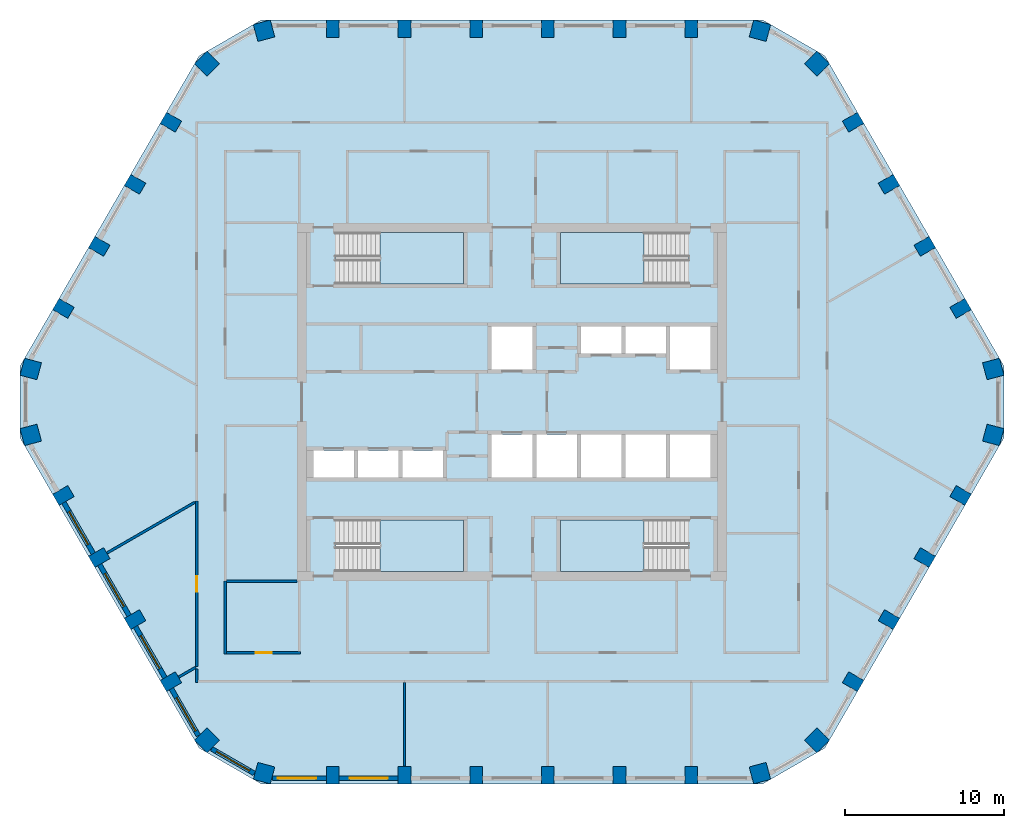
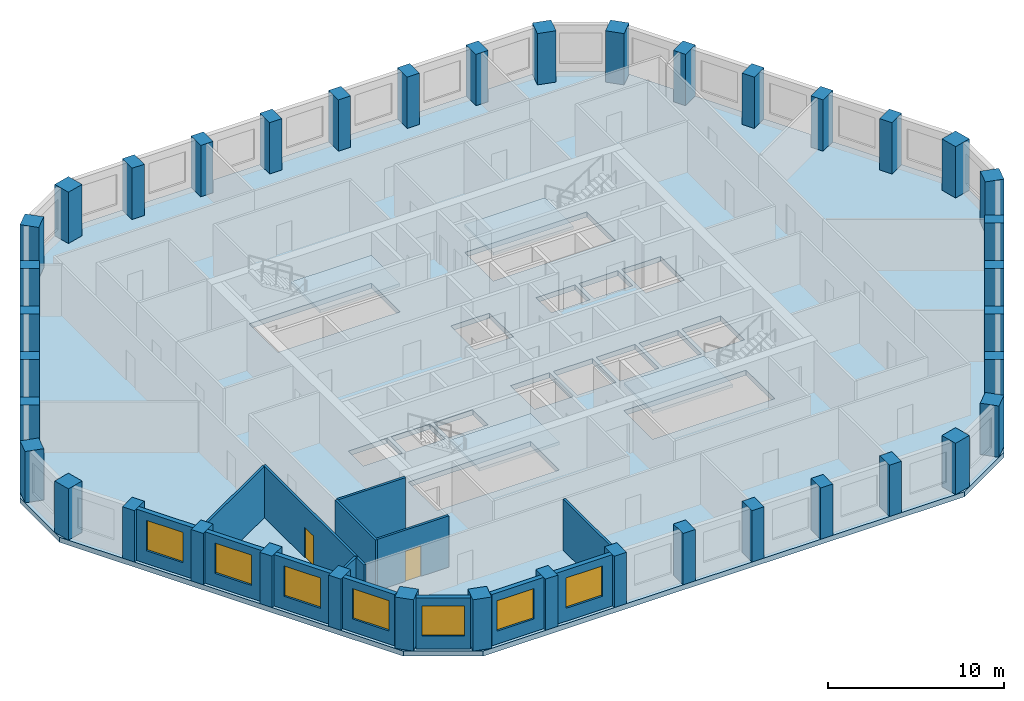
# One storey, part 1 of 9: 40 columns, 15 walls, 7 windows, 5 slabs, 2 doors, 9 openings, 4 elements without a shape of their own.
"""IFC4 building model written with IfcOpenShell, lengths in metres."""

from ifc_helpers import new_model, si_unit, direction, frame, frame_2d, origin, origin_2d, place, context, subcontext, project, spatial, polyline, rectangle, outline, extrude, material, layer, layer_set, material_profile, profile_set, type_object, element, fill, aggregate, save


model = new_model("IFC4")

# Units and contexts
model_context = context("Model", 3, precision=1e-05, world=origin(), true_north=direction((0.0, 1.0)))
body_context = subcontext(model_context, "Body", "Model", "MODEL_VIEW")
ifc_project = project(units=[si_unit("LENGTHUNIT", "METRE"), si_unit("AREAUNIT", "SQUARE_METRE"), si_unit("VOLUMEUNIT", "CUBIC_METRE"), si_unit("PLANEANGLEUNIT", "RADIAN"), si_unit("MASSUNIT", "GRAM", prefix="KILO")], contexts=[model_context])

# Site, building, storey
site_placement = place(None, origin())
site = spatial("IfcSite", under=ifc_project, at=site_placement, CompositionType="ELEMENT")
building_placement = place(site_placement, origin())
building = spatial("IfcBuilding", under=site, at=building_placement, Name="Dhurran Vertical Campus", CompositionType="ELEMENT")
storey_placement = place(building_placement, frame((0.0, 0.0, 195.60009765625)))
storey = spatial("IfcBuildingStorey", under=building, at=storey_placement, Name="L48", CompositionType="ELEMENT", Elevation=195.60009765625)

# Columns
ifc_material_1 = material(Name="Concrete C50/60", Category="concrete")
ifc_material_profile_1 = material_profile(ifc_material_1, rectangle(XDim=1.10009765625, YDim=1.10009765625, at=origin_2d()), Name="RC 1100x1100")
ifc_profile_set_1 = profile_set([ifc_material_profile_1], Name="Concrete C50/60")
column_type_1 = type_object("IfcColumnType", Name="FR COL RC 1100x1100 C50/60", PredefinedType="COLUMN", material=ifc_profile_set_1)
for number, where, z_axis, x_axis, name in (
    (1, (-15.569580078125, -23.31201171875, 0.0), (0.0, 0.0, 1.0), (0.965925826289, -0.258819045103, 0.0), "Perimeter pier PP4.00"),
    (2, (15.569580078125, -23.31201171875, 0.0), (0.0, 0.0, 1.0), (0.965925826289, 0.258819045103, 0.0), "Perimeter pier PP4.07"),
    (3, (19.154052734375, -21.242431640625, 0.0), (0.0, 0.0, 1.0), (0.707106781187, 0.707106781187, 0.0), "Perimeter pier PP4.08"),
    (4, (30.223388671875, -2.069580078125, 0.0), (0.0, 0.0, 1.0), (0.258819045103, 0.965925826289, 0.0), "Perimeter pier PP4.13"),
    (5, (30.223388671875, 2.069580078125, 0.0), (0.0, 0.0, 1.0), (-0.258819045103, 0.965925826289, 0.0), "Perimeter pier PP4.14"),
    (6, (19.154052734375, 21.242431640625, 0.0), (0.0, 0.0, 1.0), (-0.707106781187, 0.707106781187, 0.0), "Perimeter pier PP4.19"),
    (7, (15.569580078125, 23.31201171875, 0.0), (0.0, 0.0, 1.0), (-0.965925826289, 0.258819045103, 0.0), "Perimeter pier PP4.20"),
    (8, (-15.569580078125, 23.31201171875, 0.0), (0.0, 0.0, 1.0), (-0.965925826289, -0.258819045103, 0.0), "Perimeter pier PP4.27"),
    (9, (-19.154052734375, 21.242431640625, 0.0), (0.0, 0.0, 1.0), (-0.707106781187, -0.707106781187, 0.0), "Perimeter pier PP4.28"),
    (10, (-30.223388671875, 2.069580078125, 0.0), (0.0, 0.0, 1.0), (-0.258819045103, -0.965925826289, 0.0), "Perimeter pier PP4.33"),
    (11, (-30.223388671875, -2.069580078125, 0.0), (0.0, 0.0, 1.0), (0.258819045103, -0.965925826289, 0.0), "Perimeter pier PP4.34"),
    (12, (-19.154052734375, -21.242431640625, 0.0), (0.0, 0.0, 1.0), (0.707106781187, -0.707106781187, 0.0), "Perimeter pier PP4.39"),
):
    element("IfcColumn", number, at=place(storey_placement, frame(where, z_axis=z_axis, x_axis=x_axis)), inside=storey, type_object=column_type_1, Name=name, PredefinedType="COLUMN", context=body_context, shape_type="SweptSolid", body=[
        extrude(rectangle(XDim=1.10009765625, YDim=1.10009765625, at=origin_2d()), origin(), (0.0, 0.0, 1.0), 3.5498046875),
    ])
ifc_material_2 = material(Name="Concrete C50/60", Category="concrete")
ifc_material_profile_2 = material_profile(ifc_material_2, rectangle(XDim=0.800048828125, YDim=1.10009765625, at=origin_2d()), Name="RC 800x1100")
ifc_profile_set_2 = profile_set([ifc_material_profile_2], Name="Concrete C50/60")
column_type_2 = type_object("IfcColumnType", Name="FR COL RC 800x1100 C50/60", PredefinedType="COLUMN", material=ifc_profile_set_2)
for number, where, z_axis, x_axis, name in (
    (13, (-11.25, -23.435546875, 0.0), (0.0, 0.0, 1.0), (1.0, 0.0, 0.0), "Perimeter pier PP4.01"),
    (14, (-6.75, -23.435546875, 0.0), (0.0, 0.0, 1.0), (1.0, 0.0, 0.0), "Perimeter pier PP4.02"),
    (15, (-2.25, -23.435546875, 0.0), (0.0, 0.0, 1.0), (1.0, 0.0, 0.0), "Perimeter pier PP4.03"),
    (16, (2.25, -23.435546875, 0.0), (0.0, 0.0, 1.0), (1.0, 0.0, 0.0), "Perimeter pier PP4.04"),
    (17, (6.75, -23.435546875, 0.0), (0.0, 0.0, 1.0), (1.0, 0.0, 0.0), "Perimeter pier PP4.05"),
    (18, (11.25, -23.435546875, 0.0), (0.0, 0.0, 1.0), (1.0, 0.0, 0.0), "Perimeter pier PP4.06"),
    (19, (21.4208984375, -17.5634765625, 0.0), (0.0, 0.0, 1.0), (0.5, 0.866025403784, 0.0), "Perimeter pier PP4.09"),
    (20, (23.6708984375, -13.666259765625, 0.0), (0.0, 0.0, 1.0), (0.5, 0.866025403784, 0.0), "Perimeter pier PP4.10"),
    (21, (25.9208984375, -9.769287109375, 0.0), (0.0, 0.0, 1.0), (0.5, 0.866025403784, 0.0), "Perimeter pier PP4.11"),
    (22, (28.1708984375, -5.8720703125, 0.0), (0.0, 0.0, 1.0), (0.5, 0.866025403784, 0.0), "Perimeter pier PP4.12"),
    (23, (28.1708984375, 5.8720703125, 0.0), (0.0, 0.0, 1.0), (-0.5, 0.866025403784, 0.0), "Perimeter pier PP4.15"),
    (24, (25.9208984375, 9.769287109375, 0.0), (0.0, 0.0, 1.0), (-0.5, 0.866025403784, 0.0), "Perimeter pier PP4.16"),
    (25, (23.6708984375, 13.666259765625, 0.0), (0.0, 0.0, 1.0), (-0.5, 0.866025403784, 0.0), "Perimeter pier PP4.17"),
    (26, (21.4208984375, 17.5634765625, 0.0), (0.0, 0.0, 1.0), (-0.5, 0.866025403784, 0.0), "Perimeter pier PP4.18"),
    (27, (11.25, 23.435546875, 0.0), (0.0, 0.0, 1.0), (-1.0, 0.0, 0.0), "Perimeter pier PP4.21"),
    (28, (6.75, 23.435546875, 0.0), (0.0, 0.0, 1.0), (-1.0, 0.0, 0.0), "Perimeter pier PP4.22"),
    (29, (2.25, 23.435546875, 0.0), (0.0, 0.0, 1.0), (-1.0, 0.0, 0.0), "Perimeter pier PP4.23"),
    (30, (-2.25, 23.435546875, 0.0), (0.0, 0.0, 1.0), (-1.0, 0.0, 0.0), "Perimeter pier PP4.24"),
    (31, (-6.75, 23.435546875, 0.0), (0.0, 0.0, 1.0), (-1.0, 0.0, 0.0), "Perimeter pier PP4.25"),
    (32, (-11.25, 23.435546875, 0.0), (0.0, 0.0, 1.0), (-1.0, 0.0, 0.0), "Perimeter pier PP4.26"),
    (33, (-21.4208984375, 17.5634765625, 0.0), (0.0, 0.0, 1.0), (-0.5, -0.866025403784, 0.0), "Perimeter pier PP4.29"),
    (34, (-23.6708984375, 13.666259765625, 0.0), (0.0, 0.0, 1.0), (-0.5, -0.866025403784, 0.0), "Perimeter pier PP4.30"),
    (35, (-25.9208984375, 9.769287109375, 0.0), (0.0, 0.0, 1.0), (-0.5, -0.866025403784, 0.0), "Perimeter pier PP4.31"),
    (36, (-28.1708984375, 5.8720703125, 0.0), (0.0, 0.0, 1.0), (-0.5, -0.866025403784, 0.0), "Perimeter pier PP4.32"),
    (37, (-28.1708984375, -5.8720703125, 0.0), (0.0, 0.0, 1.0), (0.5, -0.866025403784, 0.0), "Perimeter pier PP4.35"),
    (38, (-25.9208984375, -9.769287109375, 0.0), (0.0, 0.0, 1.0), (0.5, -0.866025403784, 0.0), "Perimeter pier PP4.36"),
    (39, (-23.6708984375, -13.666259765625, 0.0), (0.0, 0.0, 1.0), (0.5, -0.866025403784, 0.0), "Perimeter pier PP4.37"),
    (40, (-21.4208984375, -17.5634765625, 0.0), (0.0, 0.0, 1.0), (0.5, -0.866025403784, 0.0), "Perimeter pier PP4.38"),
):
    element("IfcColumn", number, at=place(storey_placement, frame(where, z_axis=z_axis, x_axis=x_axis)), inside=storey, type_object=column_type_2, Name=name, PredefinedType="COLUMN", context=body_context, shape_type="SweptSolid", body=[
        extrude(rectangle(XDim=0.800048828125, YDim=1.10009765625, at=origin_2d()), origin(), (0.0, 0.0, 1.0), 3.5498046875),
    ])

# Slab
ifc_material_3 = material(Name="Concrete C40/50", Category="concrete")
ifc_layer_1 = layer(ifc_material_3, 0.35009765625)
ifc_layer_set_1 = layer_set([ifc_layer_1], Name="Concrete C40/50")
slab_type_1 = type_object("IfcSlabType", Name="FR POST-TENSIONED FLAT SLAB 350", PredefinedType="FLOOR", material=ifc_layer_set_1)
slab_1_placement = place(storey_placement, frame((0.0, 0.0, -0.35009765625)))
element("IfcSlab", 41, at=slab_1_placement, inside=storey, type_object=slab_type_1, Name="Floor slab L48", PredefinedType="FLOOR", context=body_context, shape_type="SweptSolid", body=[
    extrude(outline(polyline([(-15.75, -23.985595703125), (15.75, -23.985595703125), (19.647216796875, -21.735595703125), (30.897216796875, -2.25), (30.897216796875, 2.25), (19.647216796875, 21.735595703125), (15.75, 23.985595703125), (-15.75, 23.985595703125), (-19.647216796875, 21.735595703125), (-30.897216796875, 2.25), (-30.897216796875, -2.25), (-19.647216796875, -21.735595703125), (-15.75, -23.985595703125)]), holes=[polyline([(-1.27490234375, 2.050048828125), (1.27490234375, 2.050048828125), (1.27490234375, 4.75), (-1.27490234375, 4.75), (-1.27490234375, 2.050048828125)]), polyline([(9.925048828125, 2.050048828125), (12.47509765625, 2.050048828125), (12.47509765625, 4.75), (9.925048828125, 4.75), (9.925048828125, 2.050048828125)]), polyline([(-1.27490234375, -4.75), (1.27490234375, -4.75), (1.27490234375, -2.050048828125), (-1.27490234375, -2.050048828125), (-1.27490234375, -4.75)]), polyline([(1.52490234375, -4.75), (4.074951171875, -4.75), (4.074951171875, -2.050048828125), (1.52490234375, -2.050048828125), (1.52490234375, -4.75)]), polyline([(4.324951171875, -4.75), (6.875, -4.75), (6.875, -2.050048828125), (4.324951171875, -2.050048828125), (4.324951171875, -4.75)]), polyline([(7.125, -4.75), (9.675048828125, -4.75), (9.675048828125, -2.050048828125), (7.125, -2.050048828125), (7.125, -4.75)]), polyline([(9.925048828125, -4.75), (12.47509765625, -4.75), (12.47509765625, -2.050048828125), (9.925048828125, -2.050048828125), (9.925048828125, -4.75)]), polyline([(4.324951171875, 3.050048828125), (6.875, 3.050048828125), (6.875, 4.75), (4.324951171875, 4.75), (4.324951171875, 3.050048828125)]), polyline([(7.125, 3.050048828125), (9.675048828125, 3.050048828125), (9.675048828125, 4.75), (7.125, 4.75), (7.125, 3.050048828125)]), polyline([(-12.47509765625, -4.75), (-9.925048828125, -4.75), (-9.925048828125, -3.050048828125), (-12.47509765625, -3.050048828125), (-12.47509765625, -4.75)]), polyline([(-9.675048828125, -4.75), (-7.125, -4.75), (-7.125, -3.050048828125), (-9.675048828125, -3.050048828125), (-9.675048828125, -4.75)]), polyline([(-6.875, -4.75), (-4.324951171875, -4.75), (-4.324951171875, -3.050048828125), (-6.875, -3.050048828125), (-6.875, -4.75)]), polyline([(-11.050048828125, 7.39990234375), (-3.050048828125, 7.39990234375), (-3.050048828125, 10.64990234375), (-11.050048828125, 10.64990234375), (-11.050048828125, 7.39990234375)]), polyline([(3.050048828125, 7.39990234375), (11.050048828125, 7.39990234375), (11.050048828125, 10.64990234375), (3.050048828125, 10.64990234375), (3.050048828125, 7.39990234375)]), polyline([(-11.050048828125, -10.64990234375), (-3.050048828125, -10.64990234375), (-3.050048828125, -7.39990234375), (-11.050048828125, -7.39990234375), (-11.050048828125, -10.64990234375)]), polyline([(3.050048828125, -10.64990234375), (11.050048828125, -10.64990234375), (11.050048828125, -7.39990234375), (3.050048828125, -7.39990234375), (3.050048828125, -10.64990234375)])]), origin(), (0.0, 0.0, 1.0), 0.35009765625),
])

# Stair, slab
ifc_material_4 = material(Name="Concrete C40/50", Category="concrete")
stair_type = type_object("IfcStairType", Name="co-ST-CORE", PredefinedType="HALF_TURN_STAIR", material=ifc_material_4)
stair_1_placement = place(storey_placement, origin())
stair_1 = element("IfcStair", 42, at=stair_1_placement, inside=storey, type_object=stair_type, Name="L48 Protected exit stair ST1", PredefinedType="HALF_TURN_STAIR")
ifc_material_5 = material(Name="Concrete C40/50", Category="concrete")
ifc_layer_2 = layer(ifc_material_5, 0.199951171875)
ifc_layer_set_2 = layer_set([ifc_layer_2], Name="Concrete C40/50")
slab_type_2 = type_object("IfcSlabType", Name="co-SL-LANDING", PredefinedType="LANDING", material=ifc_layer_set_2)
slab_2_placement = place(storey_placement, frame((0.0, 0.0, 1.75)))
slab_2 = element("IfcSlab", 43, at=slab_2_placement, type_object=slab_type_2, Name="ST1 landing 1", PredefinedType="LANDING", context=body_context, shape_type="SweptSolid", body=[
    extrude(outline(polyline([(-8.300048828125, 7.39990234375), (-3.050048828125, 7.39990234375), (-3.050048828125, 10.64990234375), (-8.300048828125, 10.64990234375), (-8.300048828125, 7.39990234375)])), origin(), (0.0, 0.0, 1.0), 0.199951171875),
])
aggregate(stair_1, [slab_2])

stair_2_placement = place(storey_placement, origin())
stair_2 = element("IfcStair", 44, at=stair_2_placement, inside=storey, type_object=stair_type, Name="L48 Protected exit stair ST2", PredefinedType="HALF_TURN_STAIR")
slab_3_placement = place(storey_placement, frame((0.0, 0.0, 1.75)))
slab_3 = element("IfcSlab", 45, at=slab_3_placement, type_object=slab_type_2, Name="ST2 landing 1", PredefinedType="LANDING", context=body_context, shape_type="SweptSolid", body=[
    extrude(outline(polyline([(8.300048828125, 10.64990234375), (3.050048828125, 10.64990234375), (3.050048828125, 7.39990234375), (8.300048828125, 7.39990234375), (8.300048828125, 10.64990234375)])), origin(), (0.0, 0.0, 1.0), 0.199951171875),
])
aggregate(stair_2, [slab_3])

stair_3_placement = place(storey_placement, origin())
stair_3 = element("IfcStair", 46, at=stair_3_placement, inside=storey, type_object=stair_type, Name="L48 Protected exit stair ST3", PredefinedType="HALF_TURN_STAIR")
slab_4_placement = place(storey_placement, frame((0.0, 0.0, 1.75)))
slab_4 = element("IfcSlab", 47, at=slab_4_placement, type_object=slab_type_2, Name="ST3 landing 1", PredefinedType="LANDING", context=body_context, shape_type="SweptSolid", body=[
    extrude(outline(polyline([(-8.300048828125, -10.64990234375), (-3.050048828125, -10.64990234375), (-3.050048828125, -7.39990234375), (-8.300048828125, -7.39990234375), (-8.300048828125, -10.64990234375)])), origin(), (0.0, 0.0, 1.0), 0.199951171875),
])
aggregate(stair_3, [slab_4])

stair_4_placement = place(storey_placement, origin())
stair_4 = element("IfcStair", 48, at=stair_4_placement, inside=storey, type_object=stair_type, Name="L48 Protected exit stair ST4", PredefinedType="HALF_TURN_STAIR")
slab_5_placement = place(storey_placement, frame((0.0, 0.0, 1.75)))
slab_5 = element("IfcSlab", 49, at=slab_5_placement, type_object=slab_type_2, Name="ST4 landing 1", PredefinedType="LANDING", context=body_context, shape_type="SweptSolid", body=[
    extrude(outline(polyline([(8.300048828125, -7.39990234375), (3.050048828125, -7.39990234375), (3.050048828125, -10.64990234375), (8.300048828125, -10.64990234375), (8.300048828125, -7.39990234375)])), origin(), (0.0, 0.0, 1.0), 0.199951171875),
])
aggregate(stair_4, [slab_5])

# Wall, opening, window
ifc_material_6 = material(Name="Precast concrete C50/60", Category="concrete")
ifc_layer_3 = layer(ifc_material_6, 0.300048828125)
ifc_layer_set_3 = layer_set([ifc_layer_3], Name="Precast concrete C50/60")
wall_type_1 = type_object("IfcWallType", Name="Precast spandrel wall 300", PredefinedType="SOLIDWALL", material=ifc_layer_set_3)
wall_1_placement = place(storey_placement, frame((-15.04638671875, -23.635498046875, 0.0), z_axis=(0.0, 0.0, 1.0), x_axis=(1.0, 0.0, 0.0)))
wall_1 = element("IfcWall", 50, at=wall_1_placement, inside=storey, type_object=wall_type_1, Name="EW1 L48.00", PredefinedType="SOLIDWALL", context=body_context, shape_type="SweptSolid", body=[
    extrude(rectangle(XDim=3.39599609375, YDim=0.300048828125, at=frame_2d((1.697998046875, 0.0))), origin(), (0.0, 0.0, 1.0), 3.5498046875),
])
opening_1_placement = place(wall_1_placement, frame((0.34619140625, 0.0, 0.89990234375)))
opening_1 = element("IfcOpeningElement", 51, at=opening_1_placement, cuts=wall_1, Name="Opening WT1", PredefinedType="OPENING", context=body_context, shape_type="SweptSolid", body=[
    extrude(rectangle(XDim=2.39990234375, YDim=2.10009765625, at=frame_2d((1.199951171875, 1.050048828125))), frame((0.0, 0.159912109375, 0.0), z_axis=(0.0, -1.0, 0.0), x_axis=(1.0, 0.0, 0.0)), (0.0, 0.0, 1.0), 0.320068359375),
])
ifc_material_7 = material(Name="Aluminium frame with solar-control glass", Category="aluminium")
window_type = type_object("IfcWindowType", Name="Punched window 2400 x 2100", PartitioningType="SINGLE_PANEL", PredefinedType="WINDOW", material=ifc_material_7)
window_1_placement = place(opening_1_placement, origin())
window_1 = element("IfcWindow", 52, at=window_1_placement, inside=storey, type_object=window_type, Name="WT1 L48.00", OverallHeight=2.10009765625, OverallWidth=2.39990234375, PartitioningType="SINGLE_PANEL", PredefinedType="WINDOW", context=body_context, shape_type="SweptSolid", body=[
    extrude(rectangle(XDim=2.39990234375, YDim=2.10009765625, at=frame_2d((1.199951171875, 1.050048828125))), frame((0.0, 0.030029296875, 0.0), z_axis=(0.0, -1.0, 0.0), x_axis=(1.0, 0.0, 0.0)), (0.0, 0.0, 1.0), 0.06005859375),
])
fill(opening_1, window_1)

wall_2_placement = place(storey_placement, frame((-10.849609375, -23.635498046875, 0.0), z_axis=(0.0, 0.0, 1.0), x_axis=(1.0, 0.0, 0.0)))
wall_2 = element("IfcWall", 53, at=wall_2_placement, inside=storey, type_object=wall_type_1, Name="EW1 L48.01", PredefinedType="SOLIDWALL", context=body_context, shape_type="SweptSolid", body=[
    extrude(rectangle(XDim=3.69921875, YDim=0.300048828125, at=frame_2d((1.849609375, 0.0))), origin(), (0.0, 0.0, 1.0), 3.5498046875),
])
opening_2_placement = place(wall_2_placement, frame((0.6494140625, 0.0, 0.89990234375)))
opening_2 = element("IfcOpeningElement", 54, at=opening_2_placement, cuts=wall_2, Name="Opening WT1", PredefinedType="OPENING", context=body_context, shape_type="SweptSolid", body=[
    extrude(rectangle(XDim=2.39990234375, YDim=2.10009765625, at=frame_2d((1.199951171875, 1.050048828125))), frame((0.0, 0.159912109375, 0.0), z_axis=(0.0, -1.0, 0.0), x_axis=(1.0, 0.0, 0.0)), (0.0, 0.0, 1.0), 0.320068359375),
])
window_2_placement = place(opening_2_placement, origin())
window_2 = element("IfcWindow", 55, at=window_2_placement, inside=storey, type_object=window_type, Name="WT1 L48.01", OverallHeight=2.10009765625, OverallWidth=2.39990234375, PartitioningType="SINGLE_PANEL", PredefinedType="WINDOW", context=body_context, shape_type="SweptSolid", body=[
    extrude(rectangle(XDim=2.39990234375, YDim=2.10009765625, at=frame_2d((1.199951171875, 1.050048828125))), frame((0.0, 0.030029296875, 0.0), z_axis=(0.0, -1.0, 0.0), x_axis=(1.0, 0.0, 0.0)), (0.0, 0.0, 1.0), 0.06005859375),
])
fill(opening_2, window_2)

wall_3_placement = place(storey_placement, frame((-28.143798828125, -6.319091796875, 0.0), z_axis=(0.0, 0.0, 1.0), x_axis=(0.500029062817, -0.866008623709, 0.0)))
wall_3 = element("IfcWall", 56, at=wall_3_placement, inside=storey, type_object=wall_type_1, Name="EW1 L48.35", PredefinedType="SOLIDWALL", context=body_context, shape_type="SweptSolid", body=[
    extrude(rectangle(XDim=3.698974609375, YDim=0.300048828125, at=frame_2d((1.849609375, 0.0))), origin(), (0.0, 0.0, 1.0), 3.5498046875),
])
opening_3_placement = place(wall_3_placement, frame((0.6494140625, 0.0, 0.89990234375)))
opening_3 = element("IfcOpeningElement", 57, at=opening_3_placement, cuts=wall_3, Name="Opening WT1", PredefinedType="OPENING", context=body_context, shape_type="SweptSolid", body=[
    extrude(rectangle(XDim=2.39990234375, YDim=2.10009765625, at=frame_2d((1.199951171875, 1.050048828125))), frame((0.0, 0.159912109375, 0.0), z_axis=(0.0, -1.0, 0.0), x_axis=(1.0, 0.0, 0.0)), (0.0, 0.0, 1.0), 0.320068359375),
])
window_3_placement = place(opening_3_placement, origin())
window_3 = element("IfcWindow", 58, at=window_3_placement, inside=storey, type_object=window_type, Name="WT1 L48.35", OverallHeight=2.10009765625, OverallWidth=2.39990234375, PartitioningType="SINGLE_PANEL", PredefinedType="WINDOW", context=body_context, shape_type="SweptSolid", body=[
    extrude(rectangle(XDim=2.39990234375, YDim=2.10009765625, at=frame_2d((1.199951171875, 1.050048828125))), frame((0.0, 0.030029296875, 0.0), z_axis=(0.0, -1.0, 0.0), x_axis=(1.0, 0.0, 0.0)), (0.0, 0.0, 1.0), 0.06005859375),
])
fill(opening_3, window_3)

wall_4_placement = place(storey_placement, frame((-25.893798828125, -10.216064453125, 0.0), z_axis=(0.0, 0.0, 1.0), x_axis=(0.500029062817, -0.866008623709, 0.0)))
wall_4 = element("IfcWall", 59, at=wall_4_placement, inside=storey, type_object=wall_type_1, Name="EW1 L48.36", PredefinedType="SOLIDWALL", context=body_context, shape_type="SweptSolid", body=[
    extrude(rectangle(XDim=3.698974609375, YDim=0.300048828125, at=frame_2d((1.849609375, 0.0))), origin(), (0.0, 0.0, 1.0), 3.5498046875),
])
opening_4_placement = place(wall_4_placement, frame((0.6494140625, 0.0, 0.89990234375)))
opening_4 = element("IfcOpeningElement", 60, at=opening_4_placement, cuts=wall_4, Name="Opening WT1", PredefinedType="OPENING", context=body_context, shape_type="SweptSolid", body=[
    extrude(rectangle(XDim=2.39990234375, YDim=2.10009765625, at=frame_2d((1.199951171875, 1.050048828125))), frame((0.0, 0.159912109375, 0.0), z_axis=(0.0, -1.0, 0.0), x_axis=(1.0, 0.0, 0.0)), (0.0, 0.0, 1.0), 0.320068359375),
])
window_4_placement = place(opening_4_placement, origin())
window_4 = element("IfcWindow", 61, at=window_4_placement, inside=storey, type_object=window_type, Name="WT1 L48.36", OverallHeight=2.10009765625, OverallWidth=2.39990234375, PartitioningType="SINGLE_PANEL", PredefinedType="WINDOW", context=body_context, shape_type="SweptSolid", body=[
    extrude(rectangle(XDim=2.39990234375, YDim=2.10009765625, at=frame_2d((1.199951171875, 1.050048828125))), frame((0.0, 0.030029296875, 0.0), z_axis=(0.0, -1.0, 0.0), x_axis=(1.0, 0.0, 0.0)), (0.0, 0.0, 1.0), 0.06005859375),
])
fill(opening_4, window_4)

wall_5_placement = place(storey_placement, frame((-23.643798828125, -14.11328125, 0.0), z_axis=(0.0, 0.0, 1.0), x_axis=(0.500029062817, -0.866008623709, 0.0)))
wall_5 = element("IfcWall", 62, at=wall_5_placement, inside=storey, type_object=wall_type_1, Name="EW1 L48.37", PredefinedType="SOLIDWALL", context=body_context, shape_type="SweptSolid", body=[
    extrude(rectangle(XDim=3.698974609375, YDim=0.300048828125, at=frame_2d((1.849609375, 0.0))), origin(), (0.0, 0.0, 1.0), 3.5498046875),
])
opening_5_placement = place(wall_5_placement, frame((0.6494140625, 0.0, 0.89990234375)))
opening_5 = element("IfcOpeningElement", 63, at=opening_5_placement, cuts=wall_5, Name="Opening WT1", PredefinedType="OPENING", context=body_context, shape_type="SweptSolid", body=[
    extrude(rectangle(XDim=2.39990234375, YDim=2.10009765625, at=frame_2d((1.199951171875, 1.050048828125))), frame((0.0, 0.159912109375, 0.0), z_axis=(0.0, -1.0, 0.0), x_axis=(1.0, 0.0, 0.0)), (0.0, 0.0, 1.0), 0.320068359375),
])
window_5_placement = place(opening_5_placement, origin())
window_5 = element("IfcWindow", 64, at=window_5_placement, inside=storey, type_object=window_type, Name="WT1 L48.37", OverallHeight=2.10009765625, OverallWidth=2.39990234375, PartitioningType="SINGLE_PANEL", PredefinedType="WINDOW", context=body_context, shape_type="SweptSolid", body=[
    extrude(rectangle(XDim=2.39990234375, YDim=2.10009765625, at=frame_2d((1.199951171875, 1.050048828125))), frame((0.0, 0.030029296875, 0.0), z_axis=(0.0, -1.0, 0.0), x_axis=(1.0, 0.0, 0.0)), (0.0, 0.0, 1.0), 0.06005859375),
])
fill(opening_5, window_5)

wall_6_placement = place(storey_placement, frame((-21.393798828125, -18.01025390625, 0.0), z_axis=(0.0, 0.0, 1.0), x_axis=(0.500012868213, -0.866017974191, 0.0)))
wall_6 = element("IfcWall", 65, at=wall_6_placement, inside=storey, type_object=wall_type_1, Name="EW1 L48.38", PredefinedType="SOLIDWALL", context=body_context, shape_type="SweptSolid", body=[
    extrude(rectangle(XDim=3.39599609375, YDim=0.300048828125, at=frame_2d((1.697998046875, 0.0))), origin(), (0.0, 0.0, 1.0), 3.5498046875),
])
opening_6_placement = place(wall_6_placement, frame((0.6494140625, 0.0, 0.89990234375)))
opening_6 = element("IfcOpeningElement", 66, at=opening_6_placement, cuts=wall_6, Name="Opening WT1", PredefinedType="OPENING", context=body_context, shape_type="SweptSolid", body=[
    extrude(rectangle(XDim=2.39990234375, YDim=2.10009765625, at=frame_2d((1.199951171875, 1.050048828125))), frame((0.0, 0.159912109375, 0.0), z_axis=(0.0, -1.0, 0.0), x_axis=(1.0, 0.0, 0.0)), (0.0, 0.0, 1.0), 0.320068359375),
])
window_6_placement = place(opening_6_placement, origin())
window_6 = element("IfcWindow", 67, at=window_6_placement, inside=storey, type_object=window_type, Name="WT1 L48.38", OverallHeight=2.10009765625, OverallWidth=2.39990234375, PartitioningType="SINGLE_PANEL", PredefinedType="WINDOW", context=body_context, shape_type="SweptSolid", body=[
    extrude(rectangle(XDim=2.39990234375, YDim=2.10009765625, at=frame_2d((1.199951171875, 1.050048828125))), frame((0.0, 0.030029296875, 0.0), z_axis=(0.0, -1.0, 0.0), x_axis=(1.0, 0.0, 0.0)), (0.0, 0.0, 1.0), 0.06005859375),
])
fill(opening_6, window_6)

wall_7_placement = place(storey_placement, frame((-18.86279296875, -21.7841796875, 0.0), z_axis=(0.0, 0.0, 1.0), x_axis=(0.865994975416, -0.500052699777, 0.0)))
wall_7 = element("IfcWall", 68, at=wall_7_placement, inside=storey, type_object=wall_type_1, Name="EW1 L48.39", PredefinedType="SOLIDWALL", context=body_context, shape_type="SweptSolid", body=[
    extrude(rectangle(XDim=3.093017578125, YDim=0.300048828125, at=frame_2d((1.54638671875, 0.0))), origin(), (0.0, 0.0, 1.0), 3.5498046875),
])
opening_7_placement = place(wall_7_placement, frame((0.34619140625, 0.0, 0.89990234375)))
opening_7 = element("IfcOpeningElement", 69, at=opening_7_placement, cuts=wall_7, Name="Opening WT1", PredefinedType="OPENING", context=body_context, shape_type="SweptSolid", body=[
    extrude(rectangle(XDim=2.39990234375, YDim=2.10009765625, at=frame_2d((1.199951171875, 1.050048828125))), frame((0.0, 0.159912109375, 0.0), z_axis=(0.0, -1.0, 0.0), x_axis=(1.0, 0.0, 0.0)), (0.0, 0.0, 1.0), 0.320068359375),
])
window_7_placement = place(opening_7_placement, origin())
window_7 = element("IfcWindow", 70, at=window_7_placement, inside=storey, type_object=window_type, Name="WT1 L48.39", OverallHeight=2.10009765625, OverallWidth=2.39990234375, PartitioningType="SINGLE_PANEL", PredefinedType="WINDOW", context=body_context, shape_type="SweptSolid", body=[
    extrude(rectangle(XDim=2.39990234375, YDim=2.10009765625, at=frame_2d((1.199951171875, 1.050048828125))), frame((0.0, 0.030029296875, 0.0), z_axis=(0.0, -1.0, 0.0), x_axis=(1.0, 0.0, 0.0)), (0.0, 0.0, 1.0), 0.06005859375),
])
fill(opening_7, window_7)

# Wall
ifc_material_8 = material(Name="Gypsum board corridor wall on steel studs", Category="steel")
ifc_layer_4 = layer(ifc_material_8, 0.14990234375)
ifc_layer_set_4 = layer_set([ifc_layer_4], Name="Gypsum board corridor wall on steel studs")
wall_type_2 = type_object("IfcWallType", Name="fl-CW-150 corridor wall", PredefinedType="PARTITIONING", material=ifc_layer_set_4)
wall_8_placement = place(storey_placement, frame((-19.800048828125, -16.758056640625, 0.0), z_axis=(0.0, 0.0, 1.0), x_axis=(0.0, -1.0, 0.0)))
element("IfcWall", 71, at=wall_8_placement, inside=storey, type_object=wall_type_2, Name="Partition 48-05", PredefinedType="PARTITIONING", context=body_context, shape_type="SweptSolid", body=[
    extrude(rectangle(XDim=0.866943359375, YDim=0.14990234375, at=frame_2d((0.43359375, 0.0))), origin(), (0.0, 0.0, 1.0), 3.5498046875),
])

# Wall, opening, door
wall_9_placement = place(storey_placement, frame((-19.800048828125, -6.235107421875, 0.0), z_axis=(0.0, 0.0, 1.0), x_axis=(0.0, -1.0, 0.0)))
wall_9 = element("IfcWall", 72, at=wall_9_placement, inside=storey, type_object=wall_type_2, Name="Partition 48-07", PredefinedType="PARTITIONING", context=body_context, shape_type="SweptSolid", body=[
    extrude(rectangle(XDim=10.392822265625, YDim=0.14990234375, at=frame_2d((5.1962890625, 0.0))), origin(), (0.0, 0.0, 1.0), 3.5498046875),
])
opening_8_placement = place(wall_9_placement, frame((4.696533203125, 0.0, 0.0)))
opening_8 = element("IfcOpeningElement", 73, at=opening_8_placement, cuts=wall_9, Name="Opening T14.03", PredefinedType="OPENING", context=body_context, shape_type="SweptSolid", body=[
    extrude(rectangle(XDim=1.0, YDim=2.10009765625, at=frame_2d((0.5, 1.050048828125))), frame((0.0, 0.0849609375, 0.0), z_axis=(0.0, -1.0, 0.0), x_axis=(1.0, 0.0, 0.0)), (0.0, 0.0, 1.0), 0.169921875),
])
ifc_material_9 = material(Name="Solid-core timber door set, fire-rated", Category="wood")
door_type = type_object("IfcDoorType", Name="fl-D-1000x2100", OperationType="SINGLE_SWING_LEFT", PredefinedType="DOOR", material=ifc_material_9)
door_1_placement = place(opening_8_placement, origin())
door_1 = element("IfcDoor", 74, at=door_1_placement, inside=storey, type_object=door_type, Name="Door 48.03", OperationType="SINGLE_SWING_LEFT", OverallHeight=2.10009765625, OverallWidth=1.0, PredefinedType="DOOR", context=body_context, shape_type="SweptSolid", body=[
    extrude(rectangle(XDim=1.0, YDim=2.10009765625, at=frame_2d((0.5, 1.050048828125))), frame((0.0, 0.02490234375, 0.0), z_axis=(0.0, -1.0, 0.0), x_axis=(1.0, 0.0, 0.0)), (0.0, 0.0, 1.0), 0.050048828125),
])
fill(opening_8, door_1)

# Wall
wall_10_placement = place(storey_placement, frame((-18.0, -15.824951171875, 0.0), z_axis=(0.0, 0.0, 1.0), x_axis=(0.0, 1.0, 0.0)))
element("IfcWall", 75, at=wall_10_placement, inside=storey, type_object=wall_type_2, Name="Partition 48-12", PredefinedType="PARTITIONING", context=body_context, shape_type="SweptSolid", body=[
    extrude(rectangle(XDim=4.574951171875, YDim=0.14990234375, at=frame_2d((2.28759765625, 0.0))), origin(), (0.0, 0.0, 1.0), 3.5498046875),
])

# Wall, opening, door
wall_11_placement = place(storey_placement, frame((-13.27490234375, -15.75, 0.0), z_axis=(0.0, 0.0, 1.0), x_axis=(-1.0, 0.0, 0.0)))
wall_11 = element("IfcWall", 76, at=wall_11_placement, inside=storey, type_object=wall_type_2, Name="Partition 48-13", PredefinedType="PARTITIONING", context=body_context, shape_type="SweptSolid", body=[
    extrude(rectangle(XDim=4.650146484375, YDim=0.14990234375, at=frame_2d((2.3251953125, 0.0))), origin(), (0.0, 0.0, 1.0), 3.5498046875),
])
opening_9_placement = place(wall_11_placement, frame((1.824951171875, 0.0, 0.0)))
opening_9 = element("IfcOpeningElement", 77, at=opening_9_placement, cuts=wall_11, Name="Opening T14.07", PredefinedType="OPENING", context=body_context, shape_type="SweptSolid", body=[
    extrude(rectangle(XDim=1.0, YDim=2.10009765625, at=frame_2d((0.5, 1.050048828125))), frame((0.0, 0.0849609375, 0.0), z_axis=(0.0, -1.0, 0.0), x_axis=(1.0, 0.0, 0.0)), (0.0, 0.0, 1.0), 0.169921875),
])
door_2_placement = place(opening_9_placement, origin())
door_2 = element("IfcDoor", 78, at=door_2_placement, inside=storey, type_object=door_type, Name="Door 48.07", OperationType="SINGLE_SWING_RIGHT", OverallHeight=2.10009765625, OverallWidth=1.0, PredefinedType="DOOR", context=body_context, shape_type="SweptSolid", body=[
    extrude(rectangle(XDim=1.0, YDim=2.10009765625, at=frame_2d((0.5, 1.050048828125))), frame((0.0, 0.02490234375, 0.0), z_axis=(0.0, -1.0, 0.0), x_axis=(1.0, 0.0, 0.0)), (0.0, 0.0, 1.0), 0.050048828125),
])
fill(opening_9, door_2)

# Walls
ifc_material_10 = material(Name="Gypsum board partition on steel studs", Category="steel")
ifc_layer_5 = layer(ifc_material_10, 0.14990234375)
ifc_layer_set_5 = layer_set([ifc_layer_5], Name="Gypsum board partition on steel studs")
wall_type_3 = type_object("IfcWallType", Name="fl-PW-150 fixed partition", PredefinedType="PARTITIONING", material=ifc_layer_set_5)
wall_12_placement = place(storey_placement, frame((-19.91259765625, -6.300048828125, 0.0), z_axis=(0.0, 0.0, 1.0), x_axis=(-0.866011921086, -0.500023351992, 0.0)))
element("IfcWall", 79, at=wall_12_placement, inside=storey, type_object=wall_type_3, Name="Partition 48-02", PredefinedType="PARTITIONING", context=body_context, shape_type="SweptSolid", body=[
    extrude(rectangle(XDim=6.367919921875, YDim=0.14990234375, at=frame_2d((3.18408203125, 0.0))), origin(), (0.0, 0.0, 1.0), 3.5498046875),
])
wall_13_placement = place(storey_placement, frame((-19.864990234375, -16.66552734375, 0.0), z_axis=(0.0, 0.0, 1.0), x_axis=(-0.866202157257, -0.499693728962, 0.0)))
element("IfcWall", 80, at=wall_13_placement, inside=storey, type_object=wall_type_3, Name="Partition 48-03", PredefinedType="PARTITIONING", context=body_context, shape_type="SweptSolid", body=[
    extrude(rectangle(XDim=1.226318359375, YDim=0.14990234375, at=frame_2d((0.61328125, 0.0))), origin(), (0.0, 0.0, 1.0), 3.5498046875),
])
wall_14_placement = place(storey_placement, frame((-13.5, -11.25, 0.0), z_axis=(0.0, 0.0, 1.0), x_axis=(-1.0, 0.0, 0.0)))
element("IfcWall", 81, at=wall_14_placement, inside=storey, type_object=wall_type_3, Name="Partition 48-15", PredefinedType="PARTITIONING", context=body_context, shape_type="SweptSolid", body=[
    extrude(rectangle(XDim=4.425048828125, YDim=0.14990234375, at=frame_2d((2.21240234375, 0.0))), origin(), (0.0, 0.0, 1.0), 3.5498046875),
])
wall_15_placement = place(storey_placement, frame((-6.75, -17.625, 0.0), z_axis=(0.0, 0.0, 1.0), x_axis=(0.0, -1.0, 0.0)))
element("IfcWall", 82, at=wall_15_placement, inside=storey, type_object=wall_type_3, Name="Partition 48-30", PredefinedType="PARTITIONING", context=body_context, shape_type="SweptSolid", body=[
    extrude(rectangle(XDim=5.240478515625, YDim=0.14990234375, at=frame_2d((2.6201171875, 0.0))), origin(), (0.0, 0.0, 1.0), 3.5498046875),
])

save(model, "model.ifc")
